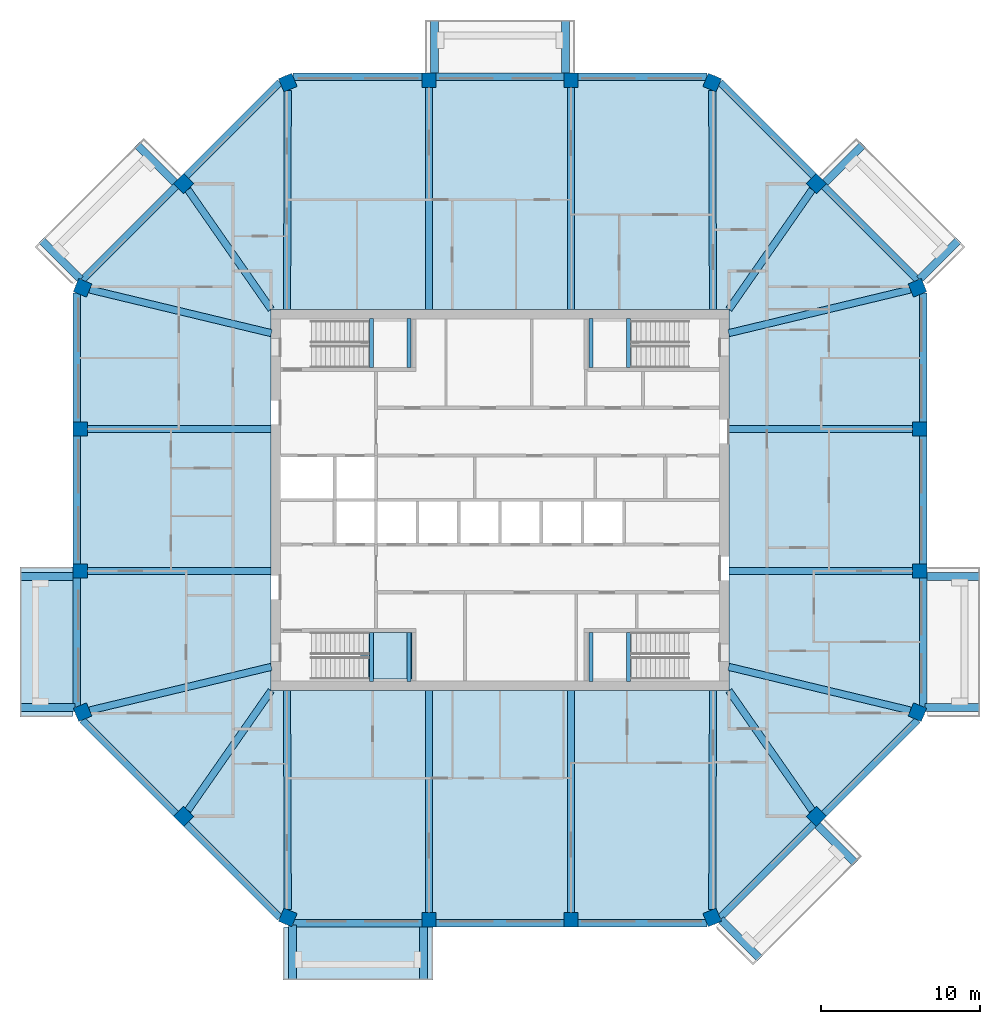
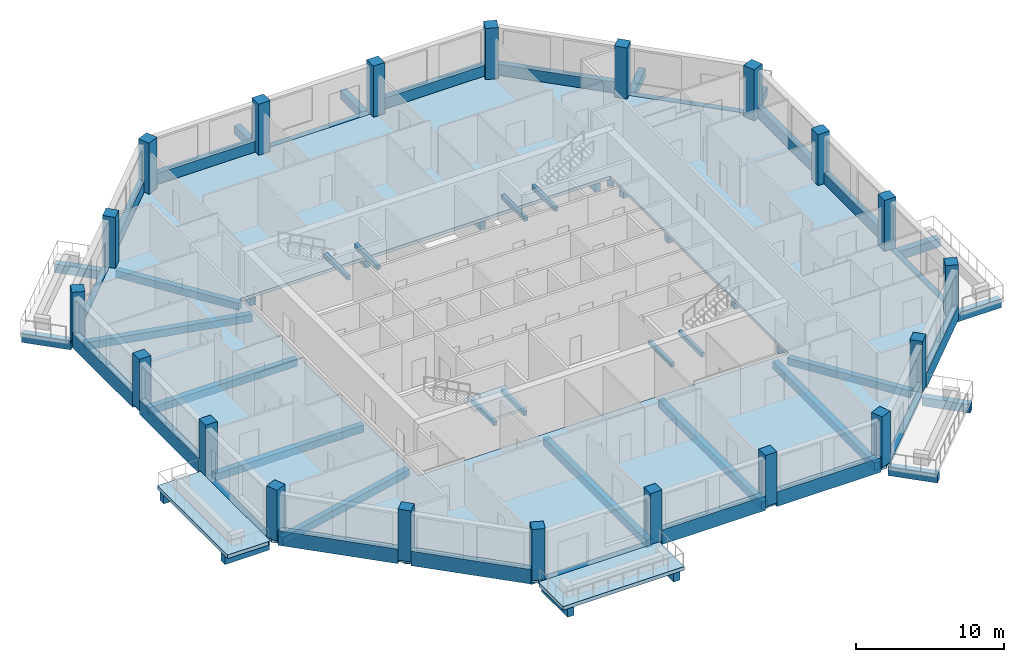
# One storey, part 1 of 11: 62 beams, 20 columns, 4 slabs, 1 element without a shape of its own.
"""IFC4 building model written with IfcOpenShell, lengths in metres."""

from ifc_helpers import new_model, si_unit, direction, frame, origin, origin_2d, place, context, subcontext, project, spatial, polyline, rectangle, outline, extrude, material, layer, layer_set, material_profile, profile_set, type_object, element, aggregate, save


model = new_model("IFC4")

# Units and contexts
model_context = context("Model", 3, precision=1e-05, world=origin(), true_north=direction((0.0, 1.0)))
body_context = subcontext(model_context, "Body", "Model", "MODEL_VIEW")
ifc_project = project(units=[si_unit("LENGTHUNIT", "METRE"), si_unit("AREAUNIT", "SQUARE_METRE"), si_unit("VOLUMEUNIT", "CUBIC_METRE"), si_unit("PLANEANGLEUNIT", "RADIAN"), si_unit("MASSUNIT", "GRAM", prefix="KILO")], contexts=[model_context])

# Site, building, storey
site_placement = place(None, origin())
site = spatial("IfcSite", under=ifc_project, at=site_placement, CompositionType="ELEMENT")
building_placement = place(site_placement, origin())
building = spatial("IfcBuilding", under=site, at=building_placement, Name="Msitu Wima Residences", CompositionType="ELEMENT")
storey_placement = place(building_placement, frame((0.0, 0.0, 302.10009765625)))
storey = spatial("IfcBuildingStorey", under=building, at=storey_placement, Name="L70", CompositionType="ELEMENT", Elevation=302.10009765625)

# Columns
ifc_material_1 = material(Name="Concrete C50/60", Category="concrete")
ifc_material_profile_1 = material_profile(ifc_material_1, rectangle(XDim=0.89990234375, YDim=0.89990234375, at=origin_2d()), Name="RC 900x900")
ifc_profile_set_1 = profile_set([ifc_material_profile_1], Name="Concrete C50/60")
column_type = type_object("IfcColumnType", Name="Column RC 900x900 Concrete C50/60", PredefinedType="COLUMN", material=ifc_profile_set_1)
for number, where, z_axis, x_axis, name in (
    (1, (26.261962890625, -13.3486328125, 0.0), (0.0, 0.0, 1.0), (0.382683496864, 0.923879505795, 0.0), "Column L70 C-E0"),
    (2, (26.39990234375, -4.46875, 0.0), (0.0, 0.0, 1.0), (0.0, 1.0, 0.0), "Column L70 C-E1"),
    (3, (26.39990234375, 4.46875, 0.0), (0.0, 0.0, 1.0), (0.0, 1.0, 0.0), "Column L70 C-E2"),
    (4, (26.261962890625, 13.3486328125, 0.0), (0.0, 0.0, 1.0), (-0.382683496864, 0.923879505795, 0.0), "Column L70 C-NE0"),
    (5, (19.90283203125, 19.90283203125, 0.0), (0.0, 0.0, 1.0), (-0.707106781187, 0.707106781187, 0.0), "Column L70 C-NE1"),
    (6, (13.3486328125, 26.261962890625, 0.0), (0.0, 0.0, 1.0), (-0.923879505795, 0.382683496864, 0.0), "Column L70 C-N0"),
    (7, (4.46875, 26.39990234375, 0.0), (0.0, 0.0, 1.0), (-1.0, 0.0, 0.0), "Column L70 C-N1"),
    (8, (-4.46875, 26.39990234375, 0.0), (0.0, 0.0, 1.0), (-1.0, 0.0, 0.0), "Column L70 C-N2"),
    (9, (-13.3486328125, 26.261962890625, 0.0), (0.0, 0.0, 1.0), (-0.923879505795, -0.382683496864, 0.0), "Column L70 C-NW0"),
    (10, (-19.90283203125, 19.90283203125, 0.0), (0.0, 0.0, 1.0), (-0.707106781187, -0.707106781187, 0.0), "Column L70 C-NW1"),
    (11, (-26.261962890625, 13.3486328125, 0.0), (0.0, 0.0, 1.0), (-0.382683496864, -0.923879505795, 0.0), "Column L70 C-W0"),
    (12, (-26.39990234375, 4.46875, 0.0), (0.0, 0.0, 1.0), (0.0, -1.0, 0.0), "Column L70 C-W1"),
    (13, (-26.39990234375, -4.46875, 0.0), (0.0, 0.0, 1.0), (0.0, -1.0, 0.0), "Column L70 C-W2"),
    (14, (-26.261962890625, -13.3486328125, 0.0), (0.0, 0.0, 1.0), (0.382683496864, -0.923879505795, 0.0), "Column L70 C-SW0"),
    (15, (-19.90283203125, -19.90283203125, 0.0), (0.0, 0.0, 1.0), (0.707106781187, -0.707106781187, 0.0), "Column L70 C-SW1"),
    (16, (-13.3486328125, -26.261962890625, 0.0), (0.0, 0.0, 1.0), (0.923879505795, -0.382683496864, 0.0), "Column L70 C-S0"),
    (17, (-4.46875, -26.39990234375, 0.0), (0.0, 0.0, 1.0), (1.0, 0.0, 0.0), "Column L70 C-S1"),
    (18, (4.46875, -26.39990234375, 0.0), (0.0, 0.0, 1.0), (1.0, 0.0, 0.0), "Column L70 C-S2"),
    (19, (13.3486328125, -26.261962890625, 0.0), (0.0, 0.0, 1.0), (0.923879505795, 0.382683496864, 0.0), "Column L70 C-SE0"),
    (20, (19.90283203125, -19.90283203125, 0.0), (0.0, 0.0, 1.0), (0.707106781187, 0.707106781187, 0.0), "Column L70 C-SE1"),
):
    element("IfcColumn", number, at=place(storey_placement, frame(where, z_axis=z_axis, x_axis=x_axis)), inside=storey, type_object=column_type, Name=name, PredefinedType="COLUMN", context=body_context, shape_type="SweptSolid", body=[
        extrude(rectangle(XDim=0.89990234375, YDim=0.89990234375, at=origin_2d()), origin(), (0.0, 0.0, 1.0), 4.199951171875),
    ])

# Beams
ifc_material_profile_2 = material_profile(ifc_material_1, rectangle(XDim=0.449951171875, YDim=0.60009765625, at=origin_2d()), Name="RC 450x600")
ifc_profile_set_2 = profile_set([ifc_material_profile_2], Name="Concrete C50/60")
beam_type_1 = type_object("IfcBeamType", Name="Beam RC 450x600 Concrete C50/60", PredefinedType="BEAM", material=ifc_profile_set_2)
beam_1_placement = place(storey_placement, frame((25.819091796875, -13.242431640625, -0.550048828125), z_axis=(-0.972353359268, 0.233514335148, 0.0), x_axis=(-0.233514335148, -0.972353359268, 0.0)))
element("IfcBeam", 21, at=beam_1_placement, inside=storey, type_object=beam_type_1, Name="Beam L70 C-E0", PredefinedType="BEAM", context=body_context, shape_type="SweptSolid", body=[
    extrude(rectangle(XDim=0.449951171875, YDim=0.60009765625, at=origin_2d()), origin(), (0.0, 0.0, 1.0), 11.755615234375),
])
for number, where, z_axis, x_axis, name in (
    (22, (25.949951171875, -4.46875, -0.550048828125), (-1.0, 0.0, 0.0), (0.0, -1.0, 0.0), "Beam L70 C-E1"),
    (23, (25.949951171875, 4.46875, -0.550048828125), (-1.0, 0.0, 0.0), (0.0, -1.0, 0.0), "Beam L70 C-E2"),
):
    element("IfcBeam", number, at=place(storey_placement, frame(where, z_axis=z_axis, x_axis=x_axis)), inside=storey, type_object=beam_type_1, Name=name, PredefinedType="BEAM", context=body_context, shape_type="SweptSolid", body=[
        extrude(rectangle(XDim=0.449951171875, YDim=0.60009765625, at=origin_2d()), origin(), (0.0, 0.0, 1.0), 11.550048828125),
    ])
beam_2_placement = place(storey_placement, frame((25.819091796875, 13.242431640625, -0.550048828125), z_axis=(-0.972353359268, -0.233514335148, 0.0), x_axis=(0.233514335148, -0.972353359268, 0.0)))
element("IfcBeam", 24, at=beam_2_placement, inside=storey, type_object=beam_type_1, Name="Beam L70 C-NE0", PredefinedType="BEAM", context=body_context, shape_type="SweptSolid", body=[
    extrude(rectangle(XDim=0.449951171875, YDim=0.60009765625, at=origin_2d()), origin(), (0.0, 0.0, 1.0), 11.755615234375),
])
for number, where, z_axis, x_axis, name in (
    (25, (19.6416015625, 19.52783203125, -0.550048828125), (-0.571427822633, -0.820652328042, 0.0), (0.820652328042, -0.571427822633, 0.0), "Beam L70 C-NE1"),
    (26, (-19.6416015625, 19.52783203125, -0.550048828125), (0.571427822633, -0.820652328042, 0.0), (0.820652328042, 0.571427822633, 0.0), "Beam L70 C-NW1"),
):
    element("IfcBeam", number, at=place(storey_placement, frame(where, z_axis=z_axis, x_axis=x_axis)), inside=storey, type_object=beam_type_1, Name=name, PredefinedType="BEAM", context=body_context, shape_type="SweptSolid", body=[
        extrude(rectangle(XDim=0.449951171875, YDim=0.60009765625, at=origin_2d()), origin(), (0.0, 0.0, 1.0), 9.173095703125),
    ])
beam_3_placement = place(storey_placement, frame((-25.819091796875, 13.242431640625, -0.550048828125), z_axis=(0.972353359268, -0.233514335148, 0.0), x_axis=(0.233514335148, 0.972353359268, 0.0)))
element("IfcBeam", 27, at=beam_3_placement, inside=storey, type_object=beam_type_1, Name="Beam L70 C-W0", PredefinedType="BEAM", context=body_context, shape_type="SweptSolid", body=[
    extrude(rectangle(XDim=0.449951171875, YDim=0.60009765625, at=origin_2d()), origin(), (0.0, 0.0, 1.0), 11.755615234375),
])
for number, where, z_axis, x_axis, name in (
    (28, (-25.949951171875, 4.46875, -0.550048828125), (1.0, 0.0, 0.0), (0.0, 1.0, 0.0), "Beam L70 C-W1"),
    (29, (-25.949951171875, -4.46875, -0.550048828125), (1.0, 0.0, 0.0), (0.0, 1.0, 0.0), "Beam L70 C-W2"),
):
    element("IfcBeam", number, at=place(storey_placement, frame(where, z_axis=z_axis, x_axis=x_axis)), inside=storey, type_object=beam_type_1, Name=name, PredefinedType="BEAM", context=body_context, shape_type="SweptSolid", body=[
        extrude(rectangle(XDim=0.449951171875, YDim=0.60009765625, at=origin_2d()), origin(), (0.0, 0.0, 1.0), 11.550048828125),
    ])
beam_4_placement = place(storey_placement, frame((-25.819091796875, -13.242431640625, -0.550048828125), z_axis=(0.972353359268, 0.233514335148, 0.0), x_axis=(-0.233514335148, 0.972353359268, 0.0)))
element("IfcBeam", 30, at=beam_4_placement, inside=storey, type_object=beam_type_1, Name="Beam L70 C-SW0", PredefinedType="BEAM", context=body_context, shape_type="SweptSolid", body=[
    extrude(rectangle(XDim=0.449951171875, YDim=0.60009765625, at=origin_2d()), origin(), (0.0, 0.0, 1.0), 11.755615234375),
])
for number, where, z_axis, x_axis, name in (
    (31, (-19.6416015625, -19.52783203125, -0.550048828125), (0.571427822633, 0.820652328042, 0.0), (-0.820652328042, 0.571427822633, 0.0), "Beam L70 C-SW1"),
    (32, (19.6416015625, -19.52783203125, -0.550048828125), (-0.571427822633, 0.820652328042, 0.0), (-0.820652328042, -0.571427822633, 0.0), "Beam L70 C-SE1"),
):
    element("IfcBeam", number, at=place(storey_placement, frame(where, z_axis=z_axis, x_axis=x_axis)), inside=storey, type_object=beam_type_1, Name=name, PredefinedType="BEAM", context=body_context, shape_type="SweptSolid", body=[
        extrude(rectangle(XDim=0.449951171875, YDim=0.60009765625, at=origin_2d()), origin(), (0.0, 0.0, 1.0), 9.173095703125),
    ])
ifc_material_profile_3 = material_profile(ifc_material_1, rectangle(XDim=0.449951171875, YDim=0.64990234375, at=origin_2d()), Name="RC 450x650")
ifc_profile_set_3 = profile_set([ifc_material_profile_3], Name="Concrete C50/60")
beam_type_2 = type_object("IfcBeamType", Name="Beam RC 450x650 Concrete C50/60", PredefinedType="BEAM", material=ifc_profile_set_3)
beam_5_placement = place(storey_placement, frame((13.3505859375, 25.774169921875, -0.5751953125), z_axis=(0.003594933206, -0.999993538207, 0.0), x_axis=(0.999993538207, 0.003594933206, 0.0)))
element("IfcBeam", 33, at=beam_5_placement, inside=storey, type_object=beam_type_2, Name="Beam L70 C-N0", PredefinedType="BEAM", context=body_context, shape_type="SweptSolid", body=[
    extrude(rectangle(XDim=0.449951171875, YDim=0.64990234375, at=origin_2d()), origin(), (0.0, 0.0, 1.0), 13.7861328125),
])
for number, where, z_axis, x_axis, name in (
    (34, (4.46875, 25.949951171875, -0.5751953125), (0.0, -1.0, 0.0), (1.0, 0.0, 0.0), "Beam L70 C-N1"),
    (35, (-4.46875, 25.949951171875, -0.5751953125), (0.0, -1.0, 0.0), (1.0, 0.0, 0.0), "Beam L70 C-N2"),
):
    element("IfcBeam", number, at=place(storey_placement, frame(where, z_axis=z_axis, x_axis=x_axis)), inside=storey, type_object=beam_type_2, Name=name, PredefinedType="BEAM", context=body_context, shape_type="SweptSolid", body=[
        extrude(rectangle(XDim=0.449951171875, YDim=0.64990234375, at=origin_2d()), origin(), (0.0, 0.0, 1.0), 13.949951171875),
    ])
for number, where, z_axis, x_axis, name in (
    (36, (-13.3505859375, 25.774169921875, -0.5751953125), (-0.003594933206, -0.999993538207, 0.0), (0.999993538207, -0.003594933206, 0.0), "Beam L70 C-NW0"),
    (37, (-13.3505859375, -25.774169921875, -0.5751953125), (-0.003594933206, 0.999993538207, 0.0), (-0.999993538207, -0.003594933206, 0.0), "Beam L70 C-S0"),
):
    element("IfcBeam", number, at=place(storey_placement, frame(where, z_axis=z_axis, x_axis=x_axis)), inside=storey, type_object=beam_type_2, Name=name, PredefinedType="BEAM", context=body_context, shape_type="SweptSolid", body=[
        extrude(rectangle(XDim=0.449951171875, YDim=0.64990234375, at=origin_2d()), origin(), (0.0, 0.0, 1.0), 13.7861328125),
    ])
for number, where, z_axis, x_axis, name in (
    (38, (-4.46875, -25.949951171875, -0.5751953125), (0.0, 1.0, 0.0), (-1.0, 0.0, 0.0), "Beam L70 C-S1"),
    (39, (4.46875, -25.949951171875, -0.5751953125), (0.0, 1.0, 0.0), (-1.0, 0.0, 0.0), "Beam L70 C-S2"),
):
    element("IfcBeam", number, at=place(storey_placement, frame(where, z_axis=z_axis, x_axis=x_axis)), inside=storey, type_object=beam_type_2, Name=name, PredefinedType="BEAM", context=body_context, shape_type="SweptSolid", body=[
        extrude(rectangle(XDim=0.449951171875, YDim=0.64990234375, at=origin_2d()), origin(), (0.0, 0.0, 1.0), 13.949951171875),
    ])
beam_6_placement = place(storey_placement, frame((13.3505859375, -25.774169921875, -0.5751953125), z_axis=(0.003594933206, 0.999993538207, 0.0), x_axis=(-0.999993538207, 0.003594933206, 0.0)))
element("IfcBeam", 40, at=beam_6_placement, inside=storey, type_object=beam_type_2, Name="Beam L70 C-SE0", PredefinedType="BEAM", context=body_context, shape_type="SweptSolid", body=[
    extrude(rectangle(XDim=0.449951171875, YDim=0.64990234375, at=origin_2d()), origin(), (0.0, 0.0, 1.0), 13.7861328125),
])
ifc_material_profile_4 = material_profile(ifc_material_1, rectangle(XDim=0.5, YDim=0.699951171875, at=origin_2d()), Name="RC 500x700")
ifc_profile_set_4 = profile_set([ifc_material_profile_4], Name="Concrete C50/60")
beam_type_3 = type_object("IfcBeamType", Name="Cantilever beam RC 500x700 Concrete C50/60", PredefinedType="BEAM", material=ifc_profile_set_4)
beam_7_placement = place(storey_placement, frame((26.73095703125, -13.055908203125, -0.650146484375), z_axis=(1.0, 0.0, 0.0), x_axis=(0.0, 1.0, 0.0)))
element("IfcBeam", 41, at=beam_7_placement, inside=storey, type_object=beam_type_3, Name="Cantilever beam L70 BA-E0 A", PredefinedType="BEAM", context=body_context, shape_type="SweptSolid", body=[
    extrude(rectangle(XDim=0.5, YDim=0.699951171875, at=origin_2d()), origin(), (0.0, 0.0, 1.0), 3.468994140625),
])
beam_8_placement = place(storey_placement, frame((26.85009765625, -4.818603515625, -0.650146484375), z_axis=(1.0, 0.0, 0.0), x_axis=(0.0, 1.0, 0.0)))
element("IfcBeam", 42, at=beam_8_placement, inside=storey, type_object=beam_type_3, Name="Cantilever beam L70 BA-E0 B", PredefinedType="BEAM", context=body_context, shape_type="SweptSolid", body=[
    extrude(rectangle(XDim=0.5, YDim=0.699951171875, at=origin_2d()), origin(), (0.0, 0.0, 1.0), 3.349853515625),
])
beam_9_placement = place(storey_placement, frame((26.386474609375, 13.887451171875, -0.650146484375), z_axis=(0.707141968506, 0.707071592116, 0.0), x_axis=(-0.707071592116, 0.707141968506, 0.0)))
element("IfcBeam", 43, at=beam_9_placement, inside=storey, type_object=beam_type_3, Name="Cantilever beam L70 BA-NE0 A", PredefinedType="BEAM", context=body_context, shape_type="SweptSolid", body=[
    extrude(rectangle(XDim=0.5, YDim=0.699951171875, at=origin_2d()), origin(), (0.0, 0.0, 1.0), 3.468994140625),
])
for number, where, z_axis, x_axis, name in (
    (44, (20.46875, 19.9736328125, -0.650146484375), (0.707070340836, 0.707143219659, 0.0), (-0.707143219659, 0.707070340836, 0.0), "Cantilever beam L70 BA-NE0 B"),
    (45, (4.11865234375, 26.85009765625, -0.650146484375), (0.0, 1.0, 0.0), (-1.0, 0.0, 0.0), "Cantilever beam L70 BA-N1 A"),
    (46, (-4.11865234375, 26.85009765625, -0.650146484375), (0.0, 1.0, 0.0), (-1.0, 0.0, 0.0), "Cantilever beam L70 BA-N1 B"),
    (47, (-20.46875, 19.9736328125, -0.650146484375), (-0.707070340836, 0.707143219659, 0.0), (-0.707143219659, -0.707070340836, 0.0), "Cantilever beam L70 BA-NW1 A"),
):
    element("IfcBeam", number, at=place(storey_placement, frame(where, z_axis=z_axis, x_axis=x_axis)), inside=storey, type_object=beam_type_3, Name=name, PredefinedType="BEAM", context=body_context, shape_type="SweptSolid", body=[
        extrude(rectangle(XDim=0.5, YDim=0.699951171875, at=origin_2d()), origin(), (0.0, 0.0, 1.0), 3.349853515625),
    ])
beam_10_placement = place(storey_placement, frame((-26.386474609375, 13.887451171875, -0.650146484375), z_axis=(-0.707141968506, 0.707071592116, 0.0), x_axis=(-0.707071592116, -0.707141968506, 0.0)))
element("IfcBeam", 48, at=beam_10_placement, inside=storey, type_object=beam_type_3, Name="Cantilever beam L70 BA-NW1 B", PredefinedType="BEAM", context=body_context, shape_type="SweptSolid", body=[
    extrude(rectangle(XDim=0.5, YDim=0.699951171875, at=origin_2d()), origin(), (0.0, 0.0, 1.0), 3.468994140625),
])
beam_11_placement = place(storey_placement, frame((-26.85009765625, -4.818603515625, -0.650146484375), z_axis=(-1.0, 0.0, 0.0), x_axis=(0.0, -1.0, 0.0)))
element("IfcBeam", 49, at=beam_11_placement, inside=storey, type_object=beam_type_3, Name="Cantilever beam L70 BA-W2 A", PredefinedType="BEAM", context=body_context, shape_type="SweptSolid", body=[
    extrude(rectangle(XDim=0.5, YDim=0.699951171875, at=origin_2d()), origin(), (0.0, 0.0, 1.0), 3.349853515625),
])
for number, where, z_axis, x_axis, name in (
    (50, (-26.73095703125, -13.055908203125, -0.650146484375), (-1.0, 0.0, 0.0), (0.0, -1.0, 0.0), "Cantilever beam L70 BA-W2 B"),
    (51, (-13.055908203125, -26.73095703125, -0.650146484375), (0.0, -1.0, 0.0), (1.0, 0.0, 0.0), "Cantilever beam L70 BA-S0 A"),
):
    element("IfcBeam", number, at=place(storey_placement, frame(where, z_axis=z_axis, x_axis=x_axis)), inside=storey, type_object=beam_type_3, Name=name, PredefinedType="BEAM", context=body_context, shape_type="SweptSolid", body=[
        extrude(rectangle(XDim=0.5, YDim=0.699951171875, at=origin_2d()), origin(), (0.0, 0.0, 1.0), 3.468994140625),
    ])
beam_12_placement = place(storey_placement, frame((-4.818603515625, -26.85009765625, -0.650146484375), z_axis=(0.0, -1.0, 0.0), x_axis=(1.0, 0.0, 0.0)))
element("IfcBeam", 52, at=beam_12_placement, inside=storey, type_object=beam_type_3, Name="Cantilever beam L70 BA-S0 B", PredefinedType="BEAM", context=body_context, shape_type="SweptSolid", body=[
    extrude(rectangle(XDim=0.5, YDim=0.699951171875, at=origin_2d()), origin(), (0.0, 0.0, 1.0), 3.349853515625),
])
beam_13_placement = place(storey_placement, frame((13.887451171875, -26.386474609375, -0.650146484375), z_axis=(0.707071592116, -0.707141968506, 0.0), x_axis=(0.707141968506, 0.707071592116, 0.0)))
element("IfcBeam", 53, at=beam_13_placement, inside=storey, type_object=beam_type_3, Name="Cantilever beam L70 BA-SE0 A", PredefinedType="BEAM", context=body_context, shape_type="SweptSolid", body=[
    extrude(rectangle(XDim=0.5, YDim=0.699951171875, at=origin_2d()), origin(), (0.0, 0.0, 1.0), 3.468994140625),
])
beam_14_placement = place(storey_placement, frame((19.9736328125, -20.46875, -0.650146484375), z_axis=(0.707143219659, -0.707070340836, 0.0), x_axis=(0.707070340836, 0.707143219659, 0.0)))
element("IfcBeam", 54, at=beam_14_placement, inside=storey, type_object=beam_type_3, Name="Cantilever beam L70 BA-SE0 B", PredefinedType="BEAM", context=body_context, shape_type="SweptSolid", body=[
    extrude(rectangle(XDim=0.5, YDim=0.699951171875, at=origin_2d()), origin(), (0.0, 0.0, 1.0), 3.349853515625),
])
ifc_material_profile_5 = material_profile(ifc_material_1, rectangle(XDim=0.449951171875, YDim=0.300048828125, at=origin_2d()), Name="RC 450x300")
ifc_profile_set_5 = profile_set([ifc_material_profile_5], Name="Concrete C50/60")
beam_type_4 = type_object("IfcBeamType", Name="Edge beam RC 450x300 Concrete C50/60", PredefinedType="SPANDREL", material=ifc_profile_set_5)
beam_15_placement = place(storey_placement, frame((26.625, -13.02392578125, -0.150146484375), z_axis=(0.0, 1.0, 0.0), x_axis=(-1.0, 0.0, 0.0)))
element("IfcBeam", 55, at=beam_15_placement, inside=storey, type_object=beam_type_4, Name="Spandrel L70 E0", PredefinedType="SPANDREL", context=body_context, shape_type="SweptSolid", body=[
    extrude(rectangle(XDim=0.449951171875, YDim=0.300048828125, at=origin_2d()), origin(), (0.0, 0.0, 1.0), 8.105224609375),
])
beam_16_placement = place(storey_placement, frame((26.2890625, 13.8349609375, -0.150146484375), z_axis=(-0.707106781187, 0.707106781187, 0.0), x_axis=(-0.707106781187, -0.707106781187, 0.0)))
element("IfcBeam", 56, at=beam_16_placement, inside=storey, type_object=beam_type_4, Name="Spandrel L70 NE0", PredefinedType="SPANDREL", context=body_context, shape_type="SweptSolid", body=[
    extrude(rectangle(XDim=0.449951171875, YDim=0.300048828125, at=origin_2d()), origin(), (0.0, 0.0, 1.0), 8.3564453125),
])
beam_17_placement = place(storey_placement, frame((4.0185546875, 26.625, -0.150146484375), z_axis=(-1.0, 0.0, 0.0), x_axis=(0.0, -1.0, 0.0)))
element("IfcBeam", 57, at=beam_17_placement, inside=storey, type_object=beam_type_4, Name="Spandrel L70 N1", PredefinedType="SPANDREL", context=body_context, shape_type="SweptSolid", body=[
    extrude(rectangle(XDim=0.449951171875, YDim=0.300048828125, at=origin_2d()), origin(), (0.0, 0.0, 1.0), 8.037109375),
])
beam_18_placement = place(storey_placement, frame((-20.380126953125, 19.743896484375, -0.150146484375), z_axis=(-0.707106781187, -0.707106781187, 0.0), x_axis=(0.707106781187, -0.707106781187, 0.0)))
element("IfcBeam", 58, at=beam_18_placement, inside=storey, type_object=beam_type_4, Name="Spandrel L70 NW1", PredefinedType="SPANDREL", context=body_context, shape_type="SweptSolid", body=[
    extrude(rectangle(XDim=0.449951171875, YDim=0.300048828125, at=origin_2d()), origin(), (0.0, 0.0, 1.0), 8.3564453125),
])
for number, where, z_axis, x_axis, name in (
    (59, (-26.625, -4.918701171875, -0.150146484375), (0.0, -1.0, 0.0), (1.0, 0.0, 0.0), "Spandrel L70 W2"),
    (60, (-13.02392578125, -26.625, -0.150146484375), (1.0, 0.0, 0.0), (0.0, 1.0, 0.0), "Spandrel L70 S0"),
):
    element("IfcBeam", number, at=place(storey_placement, frame(where, z_axis=z_axis, x_axis=x_axis)), inside=storey, type_object=beam_type_4, Name=name, PredefinedType="SPANDREL", context=body_context, shape_type="SweptSolid", body=[
        extrude(rectangle(XDim=0.449951171875, YDim=0.300048828125, at=origin_2d()), origin(), (0.0, 0.0, 1.0), 8.105224609375),
    ])
beam_19_placement = place(storey_placement, frame((13.8349609375, -26.2890625, -0.150146484375), z_axis=(0.707106781187, 0.707106781187, 0.0), x_axis=(-0.707106781187, 0.707106781187, 0.0)))
element("IfcBeam", 61, at=beam_19_placement, inside=storey, type_object=beam_type_4, Name="Spandrel L70 SE0", PredefinedType="SPANDREL", context=body_context, shape_type="SweptSolid", body=[
    extrude(rectangle(XDim=0.449951171875, YDim=0.300048828125, at=origin_2d()), origin(), (0.0, 0.0, 1.0), 8.3564453125),
])
ifc_material_2 = material(Name="Concrete C40/50", Category="concrete")
ifc_material_profile_6 = material_profile(ifc_material_2, rectangle(XDim=0.25, YDim=0.35009765625, at=origin_2d()), Name="RC 250x350")
ifc_profile_set_6 = profile_set([ifc_material_profile_6], Name="Concrete C40/50")
beam_type_5 = type_object("IfcBeamType", Name="Landing beam RC 250x350", PredefinedType="BEAM", material=ifc_profile_set_6)
for number, where, z_axis, x_axis, name in (
    (62, (-8.074951171875, 8.324951171875, 1.724853515625), (0.0, 1.0, 0.0), (-1.0, 0.0, 0.0), "Stair 1 landing beam"),
    (63, (-5.72509765625, 8.324951171875, 1.724853515625), (0.0, 1.0, 0.0), (-1.0, 0.0, 0.0), "Stair 1 landing beam"),
    (64, (-8.074951171875, -11.425048828125, 1.724853515625), (0.0, 1.0, 0.0), (-1.0, 0.0, 0.0), "Stair 2 landing beam"),
    (65, (-5.72509765625, -11.425048828125, 1.724853515625), (0.0, 1.0, 0.0), (-1.0, 0.0, 0.0), "Stair 2 landing beam"),
    (66, (8.074951171875, 8.324951171875, 1.724853515625), (0.0, 1.0, 0.0), (-1.0, 0.0, 0.0), "Stair 3 landing beam"),
    (67, (5.72509765625, 8.324951171875, 1.724853515625), (0.0, 1.0, 0.0), (-1.0, 0.0, 0.0), "Stair 3 landing beam"),
    (68, (8.074951171875, -11.425048828125, 1.724853515625), (0.0, 1.0, 0.0), (-1.0, 0.0, 0.0), "Stair 4 landing beam"),
    (69, (5.72509765625, -11.425048828125, 1.724853515625), (0.0, 1.0, 0.0), (-1.0, 0.0, 0.0), "Stair 4 landing beam"),
):
    element("IfcBeam", number, at=place(storey_placement, frame(where, z_axis=z_axis, x_axis=x_axis)), inside=storey, type_object=beam_type_5, Name=name, PredefinedType="BEAM", context=body_context, shape_type="SweptSolid", body=[
        extrude(rectangle(XDim=0.25, YDim=0.35009765625, at=origin_2d()), origin(), (0.0, 0.0, 1.0), 3.10009765625),
    ])
ifc_material_profile_7 = material_profile(ifc_material_1, rectangle(XDim=0.449951171875, YDim=1.199951171875, at=origin_2d()), Name="RC 450x1200")
ifc_profile_set_7 = profile_set([ifc_material_profile_7], Name="Concrete C50/60")
beam_type_6 = type_object("IfcBeamType", Name="Spandrel RC 450x1200 Concrete C50/60", PredefinedType="SPANDREL", material=ifc_profile_set_7)
beam_20_placement = place(storey_placement, frame((26.625, -4.0185546875, 0.2998046875), z_axis=(0.0, 1.0, 0.0), x_axis=(-1.0, 0.0, 0.0)))
element("IfcBeam", 70, at=beam_20_placement, inside=storey, type_object=beam_type_6, Name="Spandrel L70 E1", PredefinedType="SPANDREL", context=body_context, shape_type="SweptSolid", body=[
    extrude(rectangle(XDim=0.449951171875, YDim=1.199951171875, at=origin_2d()), origin(), (0.0, 0.0, 1.0), 8.037109375),
])
beam_21_placement = place(storey_placement, frame((26.625, 4.918701171875, 0.2998046875), z_axis=(0.0, 1.0, 0.0), x_axis=(-1.0, 0.0, 0.0)))
element("IfcBeam", 71, at=beam_21_placement, inside=storey, type_object=beam_type_6, Name="Spandrel L70 E2", PredefinedType="SPANDREL", context=body_context, shape_type="SweptSolid", body=[
    extrude(rectangle(XDim=0.449951171875, YDim=1.199951171875, at=origin_2d()), origin(), (0.0, 0.0, 1.0), 8.105224609375),
])
beam_22_placement = place(storey_placement, frame((19.743896484375, 20.380126953125, 0.2998046875), z_axis=(-0.707106781187, 0.707106781187, 0.0), x_axis=(-0.707106781187, -0.707106781187, 0.0)))
element("IfcBeam", 72, at=beam_22_placement, inside=storey, type_object=beam_type_6, Name="Spandrel L70 NE1", PredefinedType="SPANDREL", context=body_context, shape_type="SweptSolid", body=[
    extrude(rectangle(XDim=0.449951171875, YDim=1.199951171875, at=origin_2d()), origin(), (0.0, 0.0, 1.0), 8.3564453125),
])
for number, where, z_axis, x_axis, name in (
    (73, (13.02392578125, 26.625, 0.2998046875), (-1.0, 0.0, 0.0), (0.0, -1.0, 0.0), "Spandrel L70 N0"),
    (74, (-4.918701171875, 26.625, 0.2998046875), (-1.0, 0.0, 0.0), (0.0, -1.0, 0.0), "Spandrel L70 N2"),
):
    element("IfcBeam", number, at=place(storey_placement, frame(where, z_axis=z_axis, x_axis=x_axis)), inside=storey, type_object=beam_type_6, Name=name, PredefinedType="SPANDREL", context=body_context, shape_type="SweptSolid", body=[
        extrude(rectangle(XDim=0.449951171875, YDim=1.199951171875, at=origin_2d()), origin(), (0.0, 0.0, 1.0), 8.105224609375),
    ])
beam_23_placement = place(storey_placement, frame((-13.8349609375, 26.2890625, 0.2998046875), z_axis=(-0.707106781187, -0.707106781187, 0.0), x_axis=(0.707106781187, -0.707106781187, 0.0)))
element("IfcBeam", 75, at=beam_23_placement, inside=storey, type_object=beam_type_6, Name="Spandrel L70 NW0", PredefinedType="SPANDREL", context=body_context, shape_type="SweptSolid", body=[
    extrude(rectangle(XDim=0.449951171875, YDim=1.199951171875, at=origin_2d()), origin(), (0.0, 0.0, 1.0), 8.3564453125),
])
beam_24_placement = place(storey_placement, frame((-26.625, 13.02392578125, 0.2998046875), z_axis=(0.0, -1.0, 0.0), x_axis=(1.0, 0.0, 0.0)))
element("IfcBeam", 76, at=beam_24_placement, inside=storey, type_object=beam_type_6, Name="Spandrel L70 W0", PredefinedType="SPANDREL", context=body_context, shape_type="SweptSolid", body=[
    extrude(rectangle(XDim=0.449951171875, YDim=1.199951171875, at=origin_2d()), origin(), (0.0, 0.0, 1.0), 8.105224609375),
])
beam_25_placement = place(storey_placement, frame((-26.625, 4.0185546875, 0.2998046875), z_axis=(0.0, -1.0, 0.0), x_axis=(1.0, 0.0, 0.0)))
element("IfcBeam", 77, at=beam_25_placement, inside=storey, type_object=beam_type_6, Name="Spandrel L70 W1", PredefinedType="SPANDREL", context=body_context, shape_type="SweptSolid", body=[
    extrude(rectangle(XDim=0.449951171875, YDim=1.199951171875, at=origin_2d()), origin(), (0.0, 0.0, 1.0), 8.037109375),
])
for number, where, z_axis, x_axis, name in (
    (78, (-26.2890625, -13.8349609375, 0.2998046875), (0.707106781187, -0.707106781187, 0.0), (0.707106781187, 0.707106781187, 0.0), "Spandrel L70 SW0"),
    (79, (-19.743896484375, -20.380126953125, 0.2998046875), (0.707106781187, -0.707106781187, 0.0), (0.707106781187, 0.707106781187, 0.0), "Spandrel L70 SW1"),
):
    element("IfcBeam", number, at=place(storey_placement, frame(where, z_axis=z_axis, x_axis=x_axis)), inside=storey, type_object=beam_type_6, Name=name, PredefinedType="SPANDREL", context=body_context, shape_type="SweptSolid", body=[
        extrude(rectangle(XDim=0.449951171875, YDim=1.199951171875, at=origin_2d()), origin(), (0.0, 0.0, 1.0), 8.3564453125),
    ])
beam_26_placement = place(storey_placement, frame((-4.0185546875, -26.625, 0.2998046875), z_axis=(1.0, 0.0, 0.0), x_axis=(0.0, 1.0, 0.0)))
element("IfcBeam", 80, at=beam_26_placement, inside=storey, type_object=beam_type_6, Name="Spandrel L70 S1", PredefinedType="SPANDREL", context=body_context, shape_type="SweptSolid", body=[
    extrude(rectangle(XDim=0.449951171875, YDim=1.199951171875, at=origin_2d()), origin(), (0.0, 0.0, 1.0), 8.037109375),
])
beam_27_placement = place(storey_placement, frame((4.918701171875, -26.625, 0.2998046875), z_axis=(1.0, 0.0, 0.0), x_axis=(0.0, 1.0, 0.0)))
element("IfcBeam", 81, at=beam_27_placement, inside=storey, type_object=beam_type_6, Name="Spandrel L70 S2", PredefinedType="SPANDREL", context=body_context, shape_type="SweptSolid", body=[
    extrude(rectangle(XDim=0.449951171875, YDim=1.199951171875, at=origin_2d()), origin(), (0.0, 0.0, 1.0), 8.105224609375),
])
beam_28_placement = place(storey_placement, frame((20.380126953125, -19.743896484375, 0.2998046875), z_axis=(0.707106781187, 0.707106781187, 0.0), x_axis=(-0.707106781187, 0.707106781187, 0.0)))
element("IfcBeam", 82, at=beam_28_placement, inside=storey, type_object=beam_type_6, Name="Spandrel L70 SE1", PredefinedType="SPANDREL", context=body_context, shape_type="SweptSolid", body=[
    extrude(rectangle(XDim=0.449951171875, YDim=1.199951171875, at=origin_2d()), origin(), (0.0, 0.0, 1.0), 8.3564453125),
])

# Slabs
ifc_layer_1 = layer(ifc_material_2, 0.300048828125)
ifc_layer_set_1 = layer_set([ifc_layer_1], Name="Concrete C40/50")
slab_type_1 = type_object("IfcSlabType", Name="Balcony slab BS300", PredefinedType="FLOOR", material=ifc_layer_set_1)
slab_1_placement = place(storey_placement, frame((0.0, 0.0, -0.300048828125)))
element("IfcSlab", 83, at=slab_1_placement, inside=storey, type_object=slab_type_1, Name="Balcony W2 L70", PredefinedType="FLOOR", context=body_context, shape_type="SweptSolid", body=[
    extrude(outline(polyline([(-26.85009765625, -13.105224609375), (-26.85009765625, -13.105224609375), (-26.85009765625, -13.105224609375), (-26.85009765625, -13.59228515625), (-27.003662109375, -13.656005859375), (-30.199951171875, -13.656005859375), (-30.199951171875, -4.21875), (-26.85009765625, -4.21875), (-26.85009765625, -4.918701171875), (-26.85009765625, -13.105224609375)])), origin(), (0.0, 0.0, 1.0), 0.300048828125),
])
slab_2_placement = place(storey_placement, frame((0.0, 0.0, -0.300048828125)))
element("IfcSlab", 84, at=slab_2_placement, inside=storey, type_object=slab_type_1, Name="Balcony S0 L70", PredefinedType="FLOOR", context=body_context, shape_type="SweptSolid", body=[
    extrude(outline(polyline([(-13.105224609375, -26.85009765625), (-13.105224609375, -26.85009765625), (-4.918701171875, -26.85009765625), (-4.21875, -26.85009765625), (-4.21875, -30.199951171875), (-13.656005859375, -30.199951171875), (-13.656005859375, -27.003662109375), (-13.59228515625, -26.85009765625), (-13.105224609375, -26.85009765625), (-13.105224609375, -26.85009765625)])), origin(), (0.0, 0.0, 1.0), 0.300048828125),
])
ifc_layer_2 = layer(ifc_material_2, 0.25)
ifc_layer_set_2 = layer_set([ifc_layer_2], Name="Concrete C40/50")
slab_type_2 = type_object("IfcSlabType", Name="PT flat slab 250 Concrete C40/50", PredefinedType="FLOOR", material=ifc_layer_set_2)
slab_3_placement = place(storey_placement, frame((0.0, 0.0, -0.25)))
element("IfcSlab", 85, at=slab_3_placement, inside=storey, type_object=slab_type_2, Name="Floor slab L70", PredefinedType="FLOOR", context=body_context, shape_type="SweptSolid", body=[
    extrude(outline(polyline([(26.699951171875, -13.5302734375), (13.5302734375, -26.699951171875), (-13.5302734375, -26.699951171875), (-26.699951171875, -13.5302734375), (-26.699951171875, 13.5302734375), (-13.5302734375, 26.699951171875), (13.5302734375, 26.699951171875), (26.699951171875, 13.5302734375), (26.699951171875, -13.5302734375)]), holes=[polyline([(-14.39990234375, -12.0), (14.39990234375, -12.0), (14.39990234375, 12.0), (-14.39990234375, 12.0), (-14.39990234375, -12.0)])]), origin(), (0.0, 0.0, 1.0), 0.25),
])

# Stair, slab
stair_type = type_object("IfcStairType", Name="Exit stair ES1615-140", PredefinedType="HALF_TURN_STAIR", material=ifc_material_2)
stair_placement = place(storey_placement, origin())
stair = element("IfcStair", 86, at=stair_placement, inside=storey, type_object=stair_type, Name="Exit stair 2", PredefinedType="HALF_TURN_STAIR")
ifc_layer_3 = layer(ifc_material_2, 0.199951171875)
ifc_layer_set_3 = layer_set([ifc_layer_3], Name="Concrete C40/50")
slab_type_3 = type_object("IfcSlabType", Name="Stair landing SL200", PredefinedType="LANDING", material=ifc_layer_set_3)
slab_4_placement = place(storey_placement, frame((0.0, 0.0, 1.89990234375)))
slab_4 = element("IfcSlab", 87, at=slab_4_placement, type_object=slab_type_3, Name="S2 landing 1", PredefinedType="LANDING", context=body_context, shape_type="SweptSolid", body=[
    extrude(outline(polyline([(-5.52490234375, -11.27490234375), (-8.275390625, -11.27490234375), (-8.275390625, -9.800048828125), (-8.77490234375, -9.800048828125), (-8.77490234375, -8.324951171875), (-5.52490234375, -8.324951171875), (-5.52490234375, -11.27490234375)])), origin(), (0.0, 0.0, 1.0), 0.199951171875),
])
aggregate(stair, [slab_4])

save(model, "model.ifc")
